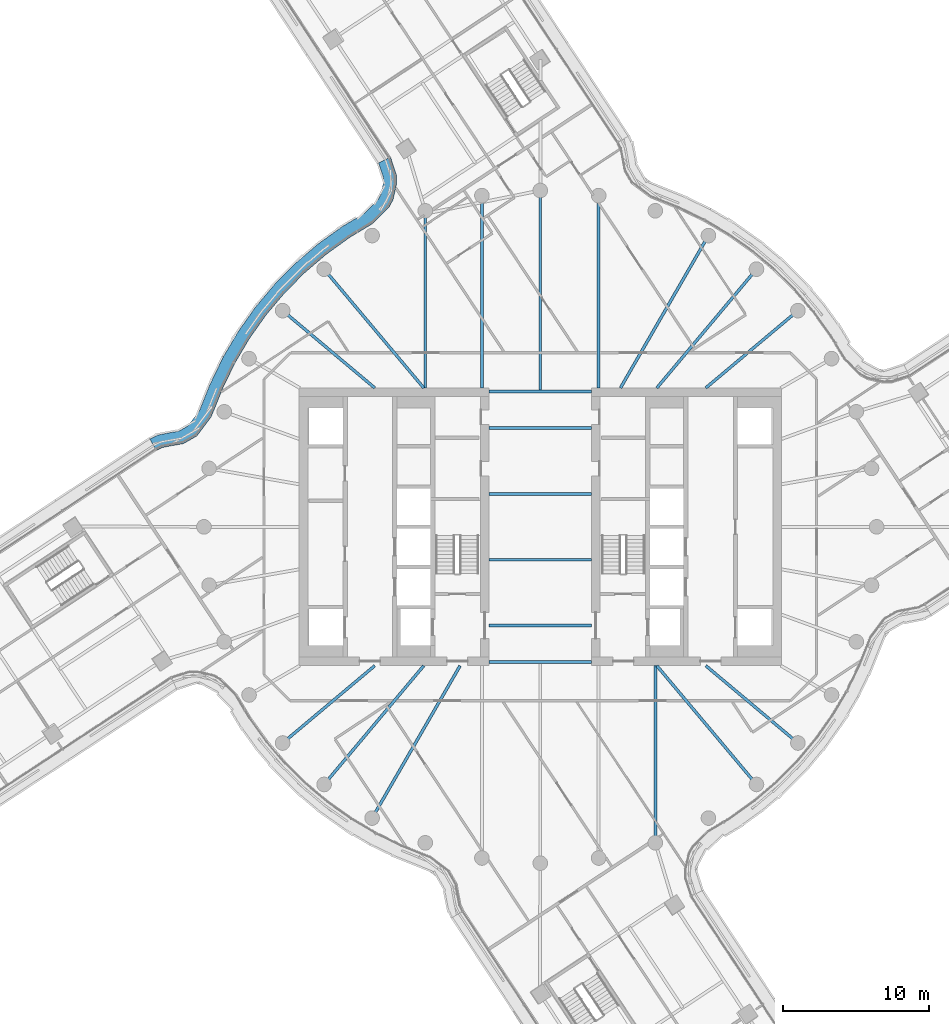
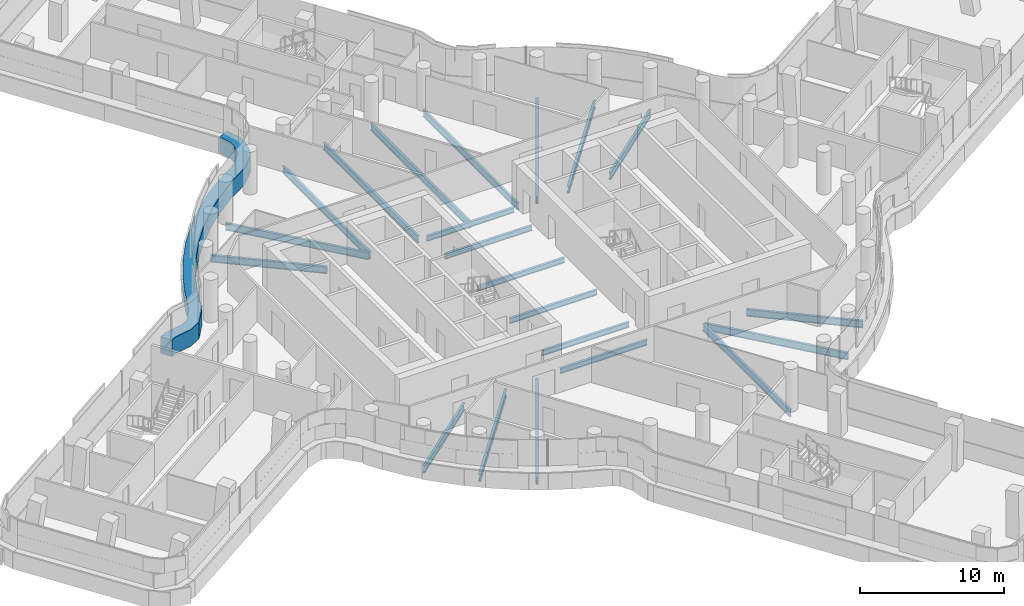
# One storey, part 10 of 35: 21 beams, 1 member, 1 element without a shape of its own.
"""IFC4 building model written with IfcOpenShell, lengths in metres."""

from ifc_helpers import new_model, si_unit, direction, frame, origin, origin_2d, place, context, subcontext, project, spatial, polyline, i_section, outline, extrude, material, layer, layer_set, material_profile, profile_set, type_object, element, aggregate, save


model = new_model("IFC4")

# Units and contexts
model_context = context("Model", 3, precision=1e-05, world=origin(), true_north=direction((0.0, 1.0)))
body_context = subcontext(model_context, "Body", "Model", "MODEL_VIEW")
ifc_project = project(units=[si_unit("LENGTHUNIT", "METRE"), si_unit("AREAUNIT", "SQUARE_METRE"), si_unit("VOLUMEUNIT", "CUBIC_METRE"), si_unit("PLANEANGLEUNIT", "RADIAN"), si_unit("MASSUNIT", "GRAM", prefix="KILO")], contexts=[model_context])

# Site, building, storey
site_placement = place(None, origin())
site = spatial("IfcSite", under=ifc_project, at=site_placement, CompositionType="ELEMENT")
building_placement = place(site_placement, origin())
building = spatial("IfcBuilding", under=site, at=building_placement, Name="Tamarind Cross Interchange Tower", CompositionType="ELEMENT")
storey_placement = place(building_placement, frame((0.0, 0.0, 155.5)))
storey = spatial("IfcBuildingStorey", under=building, at=storey_placement, Name="L38", CompositionType="ELEMENT", Elevation=155.5)

# Beams
ifc_material_1 = material(Name="Steel Q355B", Category="steel")
ifc_material_profile_1 = material_profile(ifc_material_1, i_section(OverallWidth=0.198974609375, OverallDepth=0.446044921875, WebThickness=0.008056640625, FlangeThickness=0.011962890625, FilletRadius=0.012939453125, at=origin_2d()), Name="HN 446x199x8x12")
ifc_profile_set_1 = profile_set([ifc_material_profile_1], Name="Steel Q355B")
beam_type_1 = type_object("IfcBeamType", Name="Composite beam HN 446x199x8x12 Q355B", PredefinedType="BEAM", material=ifc_profile_set_1)
for number, where, z_axis, x_axis, name in (
    (1, (-3.5, -2.25, -0.363037109375), (1.0, 0.0, 0.0), (0.0, 1.0, 0.0), "Beam G-2.25"),
    (2, (-3.5, -6.75, -0.363037109375), (1.0, 0.0, 0.0), (0.0, 1.0, 0.0), "Beam G-6.75"),
    (3, (-3.5, -9.25, -0.363037109375), (1.0, 0.0, 0.0), (0.0, 1.0, 0.0), "Beam G-9.25"),
    (4, (-3.5, 2.25, -0.363037109375), (1.0, 0.0, 0.0), (0.0, 1.0, 0.0), "Beam G2.25"),
    (5, (-3.5, 6.75, -0.363037109375), (1.0, 0.0, 0.0), (0.0, 1.0, 0.0), "Beam G6.75"),
    (6, (-3.5, 9.25, -0.363037109375), (1.0, 0.0, 0.0), (0.0, 1.0, 0.0), "Beam G9.25"),
):
    element("IfcBeam", number, at=place(storey_placement, frame(where, z_axis=z_axis, x_axis=x_axis)), inside=storey, type_object=beam_type_1, Name=name, PredefinedType="BEAM", context=body_context, shape_type="SweptSolid", body=[
        extrude(i_section(OverallWidth=0.198974609375, OverallDepth=0.446044921875, WebThickness=0.008056640625, FlangeThickness=0.011962890625, FilletRadius=0.012939453125, at=origin_2d()), origin(), (0.0, 0.0, 1.0), 7.0),
    ])
ifc_material_profile_2 = material_profile(ifc_material_1, i_section(OverallWidth=0.198974609375, OverallDepth=0.595947265625, WebThickness=0.010009765625, FlangeThickness=0.014892578125, FilletRadius=0.012939453125, at=origin_2d()), Name="HN 596x199x10x15")
ifc_profile_set_2 = profile_set([ifc_material_profile_2], Name="Steel Q355B")
beam_type_2 = type_object("IfcBeamType", Name="Composite beam HN 596x199x10x15 Q355B", PredefinedType="BEAM", material=ifc_profile_set_2)
beam_1_placement = place(storey_placement, frame((17.619140625, 14.7841796875, -0.43798828125), z_axis=(-0.766040580814, -0.642792212574, 0.0), x_axis=(0.642792212574, -0.766040580814, 0.0)))
element("IfcBeam", 7, at=beam_1_placement, inside=storey, type_object=beam_type_2, Name="Beam HH04", PredefinedType="BEAM", context=body_context, shape_type="SweptSolid", body=[
    extrude(i_section(OverallWidth=0.198974609375, OverallDepth=0.595947265625, WebThickness=0.010009765625, FlangeThickness=0.014892578125, FilletRadius=0.012939453125, at=origin_2d()), origin(), (0.0, 0.0, 1.0), 8.220703125),
])
beam_2_placement = place(storey_placement, frame((14.7841796875, 17.619140625, -0.43798828125), z_axis=(-0.642786293979, -0.766045547127, 0.0), x_axis=(0.766045547127, -0.642786293979, 0.0)))
element("IfcBeam", 8, at=beam_2_placement, inside=storey, type_object=beam_type_2, Name="Beam HH05", PredefinedType="BEAM", context=body_context, shape_type="SweptSolid", body=[
    extrude(i_section(OverallWidth=0.198974609375, OverallDepth=0.595947265625, WebThickness=0.010009765625, FlangeThickness=0.014892578125, FilletRadius=0.012939453125, at=origin_2d()), origin(), (0.0, 0.0, 1.0), 10.598876953125),
])
beam_3_placement = place(storey_placement, frame((11.5, 19.918701171875, -0.43798828125), z_axis=(-0.499993565836, -0.866029118519, 0.0), x_axis=(0.866029118519, -0.499993565836, 0.0)))
element("IfcBeam", 9, at=beam_3_placement, inside=storey, type_object=beam_type_2, Name="Beam HH06", PredefinedType="BEAM", context=body_context, shape_type="SweptSolid", body=[
    extrude(i_section(OverallWidth=0.198974609375, OverallDepth=0.595947265625, WebThickness=0.010009765625, FlangeThickness=0.014892578125, FilletRadius=0.012939453125, at=origin_2d()), origin(), (0.0, 0.0, 1.0), 12.030517578125),
])
beam_4_placement = place(storey_placement, frame((3.993896484375, 22.650634765625, -0.43798828125), z_axis=(0.0, -1.0, 0.0), x_axis=(1.0, 0.0, 0.0)))
element("IfcBeam", 10, at=beam_4_placement, inside=storey, type_object=beam_type_2, Name="Beam HH08", PredefinedType="BEAM", context=body_context, shape_type="SweptSolid", body=[
    extrude(i_section(OverallWidth=0.198974609375, OverallDepth=0.595947265625, WebThickness=0.010009765625, FlangeThickness=0.014892578125, FilletRadius=0.012939453125, at=origin_2d()), origin(), (0.0, 0.0, 1.0), 13.150634765625),
])
beam_5_placement = place(storey_placement, frame((0.0, 23.0, -0.43798828125), z_axis=(0.0, -1.0, 0.0), x_axis=(1.0, 0.0, 0.0)))
element("IfcBeam", 11, at=beam_5_placement, inside=storey, type_object=beam_type_2, Name="Beam HH09", PredefinedType="BEAM", context=body_context, shape_type="SweptSolid", body=[
    extrude(i_section(OverallWidth=0.198974609375, OverallDepth=0.595947265625, WebThickness=0.010009765625, FlangeThickness=0.014892578125, FilletRadius=0.012939453125, at=origin_2d()), origin(), (0.0, 0.0, 1.0), 13.75),
])
beam_6_placement = place(storey_placement, frame((-3.993896484375, 22.650634765625, -0.43798828125), z_axis=(0.0, -1.0, 0.0), x_axis=(1.0, 0.0, 0.0)))
element("IfcBeam", 12, at=beam_6_placement, inside=storey, type_object=beam_type_2, Name="Beam HH10", PredefinedType="BEAM", context=body_context, shape_type="SweptSolid", body=[
    extrude(i_section(OverallWidth=0.198974609375, OverallDepth=0.595947265625, WebThickness=0.010009765625, FlangeThickness=0.014892578125, FilletRadius=0.012939453125, at=origin_2d()), origin(), (0.0, 0.0, 1.0), 13.150634765625),
])
beam_7_placement = place(storey_placement, frame((-7.866455078125, 21.613037109375, -0.43798828125), z_axis=(0.0, -1.0, 0.0), x_axis=(1.0, 0.0, 0.0)))
element("IfcBeam", 13, at=beam_7_placement, inside=storey, type_object=beam_type_2, Name="Beam HH11", PredefinedType="BEAM", context=body_context, shape_type="SweptSolid", body=[
    extrude(i_section(OverallWidth=0.198974609375, OverallDepth=0.595947265625, WebThickness=0.010009765625, FlangeThickness=0.014892578125, FilletRadius=0.012939453125, at=origin_2d()), origin(), (0.0, 0.0, 1.0), 12.113037109375),
])
beam_8_placement = place(storey_placement, frame((-14.7841796875, 17.619140625, -0.43798828125), z_axis=(0.642786293979, -0.766045547127, 0.0), x_axis=(0.766045547127, 0.642786293979, 0.0)))
element("IfcBeam", 14, at=beam_8_placement, inside=storey, type_object=beam_type_2, Name="Beam HH13", PredefinedType="BEAM", context=body_context, shape_type="SweptSolid", body=[
    extrude(i_section(OverallWidth=0.198974609375, OverallDepth=0.595947265625, WebThickness=0.010009765625, FlangeThickness=0.014892578125, FilletRadius=0.012939453125, at=origin_2d()), origin(), (0.0, 0.0, 1.0), 10.598876953125),
])
for number, where, z_axis, x_axis, name in (
    (15, (-17.619140625, 14.7841796875, -0.43798828125), (0.766040580814, -0.642792212574, 0.0), (0.642792212574, 0.766040580814, 0.0), "Beam HH14"),
    (16, (-17.619140625, -14.7841796875, -0.43798828125), (0.766040580814, 0.642792212574, 0.0), (-0.642792212574, 0.766040580814, 0.0), "Beam HH22"),
):
    element("IfcBeam", number, at=place(storey_placement, frame(where, z_axis=z_axis, x_axis=x_axis)), inside=storey, type_object=beam_type_2, Name=name, PredefinedType="BEAM", context=body_context, shape_type="SweptSolid", body=[
        extrude(i_section(OverallWidth=0.198974609375, OverallDepth=0.595947265625, WebThickness=0.010009765625, FlangeThickness=0.014892578125, FilletRadius=0.012939453125, at=origin_2d()), origin(), (0.0, 0.0, 1.0), 8.220703125),
    ])
beam_9_placement = place(storey_placement, frame((-14.7841796875, -17.619140625, -0.43798828125), z_axis=(0.642786293979, 0.766045547127, 0.0), x_axis=(-0.766045547127, 0.642786293979, 0.0)))
element("IfcBeam", 17, at=beam_9_placement, inside=storey, type_object=beam_type_2, Name="Beam HH23", PredefinedType="BEAM", context=body_context, shape_type="SweptSolid", body=[
    extrude(i_section(OverallWidth=0.198974609375, OverallDepth=0.595947265625, WebThickness=0.010009765625, FlangeThickness=0.014892578125, FilletRadius=0.012939453125, at=origin_2d()), origin(), (0.0, 0.0, 1.0), 10.598876953125),
])
beam_10_placement = place(storey_placement, frame((-11.5, -19.918701171875, -0.43798828125), z_axis=(0.499993565836, 0.866029118519, 0.0), x_axis=(-0.866029118519, 0.499993565836, 0.0)))
element("IfcBeam", 18, at=beam_10_placement, inside=storey, type_object=beam_type_2, Name="Beam HH24", PredefinedType="BEAM", context=body_context, shape_type="SweptSolid", body=[
    extrude(i_section(OverallWidth=0.198974609375, OverallDepth=0.595947265625, WebThickness=0.010009765625, FlangeThickness=0.014892578125, FilletRadius=0.012939453125, at=origin_2d()), origin(), (0.0, 0.0, 1.0), 12.030517578125),
])
beam_11_placement = place(storey_placement, frame((7.866455078125, -21.613037109375, -0.43798828125), z_axis=(0.0, 1.0, 0.0), x_axis=(-1.0, 0.0, 0.0)))
element("IfcBeam", 19, at=beam_11_placement, inside=storey, type_object=beam_type_2, Name="Beam HH29", PredefinedType="BEAM", context=body_context, shape_type="SweptSolid", body=[
    extrude(i_section(OverallWidth=0.198974609375, OverallDepth=0.595947265625, WebThickness=0.010009765625, FlangeThickness=0.014892578125, FilletRadius=0.012939453125, at=origin_2d()), origin(), (0.0, 0.0, 1.0), 12.113037109375),
])
beam_12_placement = place(storey_placement, frame((14.7841796875, -17.619140625, -0.43798828125), z_axis=(-0.642786293979, 0.766045547127, 0.0), x_axis=(-0.766045547127, -0.642786293979, 0.0)))
element("IfcBeam", 20, at=beam_12_placement, inside=storey, type_object=beam_type_2, Name="Beam HH31", PredefinedType="BEAM", context=body_context, shape_type="SweptSolid", body=[
    extrude(i_section(OverallWidth=0.198974609375, OverallDepth=0.595947265625, WebThickness=0.010009765625, FlangeThickness=0.014892578125, FilletRadius=0.012939453125, at=origin_2d()), origin(), (0.0, 0.0, 1.0), 10.598876953125),
])
beam_13_placement = place(storey_placement, frame((17.619140625, -14.7841796875, -0.43798828125), z_axis=(-0.766040580814, 0.642792212574, 0.0), x_axis=(-0.642792212574, -0.766040580814, 0.0)))
element("IfcBeam", 21, at=beam_13_placement, inside=storey, type_object=beam_type_2, Name="Beam HH32", PredefinedType="BEAM", context=body_context, shape_type="SweptSolid", body=[
    extrude(i_section(OverallWidth=0.198974609375, OverallDepth=0.595947265625, WebThickness=0.010009765625, FlangeThickness=0.014892578125, FilletRadius=0.012939453125, at=origin_2d()), origin(), (0.0, 0.0, 1.0), 8.220703125),
])

# Curtain wall, member
ifc_material_2 = material(Name="Aluminium 6063-T6", Category="aluminium")
ifc_layer = layer(ifc_material_2, 0.159912109375)
ifc_layer_set = layer_set([ifc_layer], Name="Aluminium 6063-T6")
curtain_wall_type = type_object("IfcCurtainWallType", Name="Office curtain wall, 9.0 m bays", PredefinedType="NOTDEFINED", material=ifc_layer_set)
curtain_wall_placement = place(storey_placement, origin())
curtain_wall = element("IfcCurtainWall", 22, at=curtain_wall_placement, inside=storey, type_object=curtain_wall_type, Name="CWS-L38-02", PredefinedType="NOTDEFINED")
ifc_material_3 = material(Name="Aluminium and insulated spandrel panel", Category="aluminium")
member_type = type_object("IfcMemberType", Name="Floor-edge blade transom", PredefinedType="USERDEFINED", material=ifc_material_3)
member_placement = place(storey_placement, origin())
member = element("IfcMember", 23, at=member_placement, type_object=member_type, Name="CWT-L38-02", ObjectType="TRANSOM", PredefinedType="USERDEFINED", context=body_context, shape_type="SweptSolid", body=[
    extrude(outline(polyline([(-10.23828125, 25.28173828125), (-9.84521484375, 24.071533203125), (-9.818359375, 23.468017578125), (-10.07177734375, 22.3603515625), (-10.3603515625, 21.8251953125), (-11.450927734375, 20.741455078125), (-13.04541015625, 19.78125), (-14.634521484375, 18.636474609375), (-16.12353515625, 17.3642578125), (-17.50244140625, 15.973388671875), (-18.76171875, 14.4736328125), (-19.892822265625, 12.874755859375), (-20.88818359375, 11.188232421875), (-21.741455078125, 9.423095703125), (-22.509033203125, 7.511962890625), (-23.486572265625, 6.21044921875), (-24.40625, 5.68505859375), (-25.266357421875, 5.533447265625), (-25.84033203125, 5.42041015625), (-26.25732421875, 5.2177734375), (-26.703857421875, 6.00146484375), (-26.12890625, 6.281005859375), (-25.43115234375, 6.418212890625), (-24.716796875, 6.544189453125), (-24.094482421875, 6.899658203125), (-23.2998046875, 7.95751953125), (-22.565185546875, 9.787109375), (-21.68212890625, 11.613525390625), (-20.64892578125, 13.3642578125), (-19.474853515625, 15.023681640625), (-18.167724609375, 16.580810546875), (-16.736572265625, 18.0244140625), (-15.19091796875, 19.344970703125), (-13.54150390625, 20.533203125), (-12.00830078125, 21.45654296875), (-11.08935546875, 22.36962890625), (-10.922119140625, 22.679931640625), (-10.722900390625, 23.550048828125), (-10.739013671875, 23.90966796875), (-11.056884765625, 24.888671875), (-10.23828125, 25.28173828125)])), origin(), (0.0, 0.0, 1.0), 1.39990234375),
])
aggregate(curtain_wall, [member])

save(model, "model.ifc")
